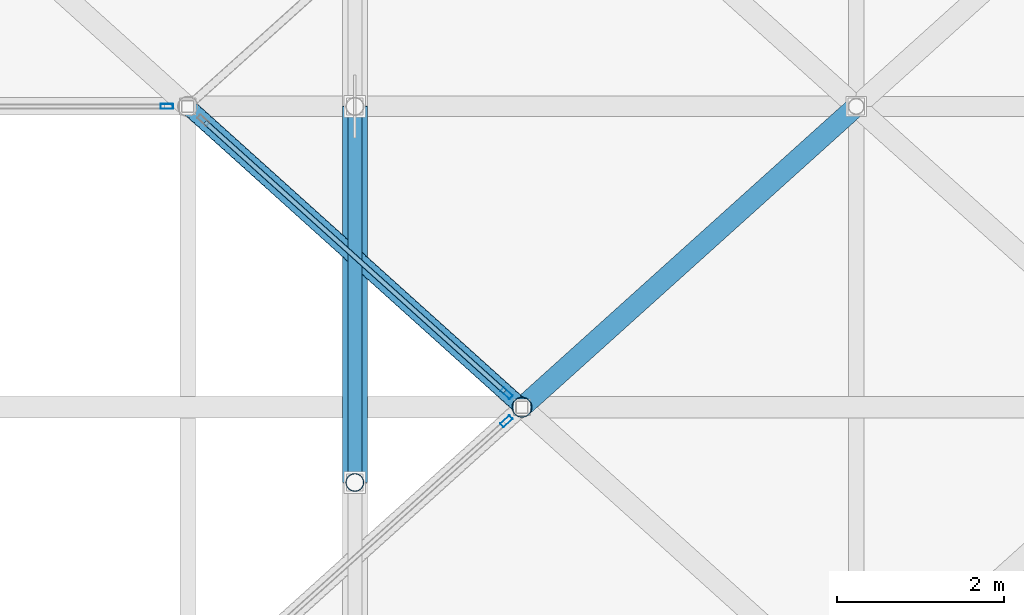
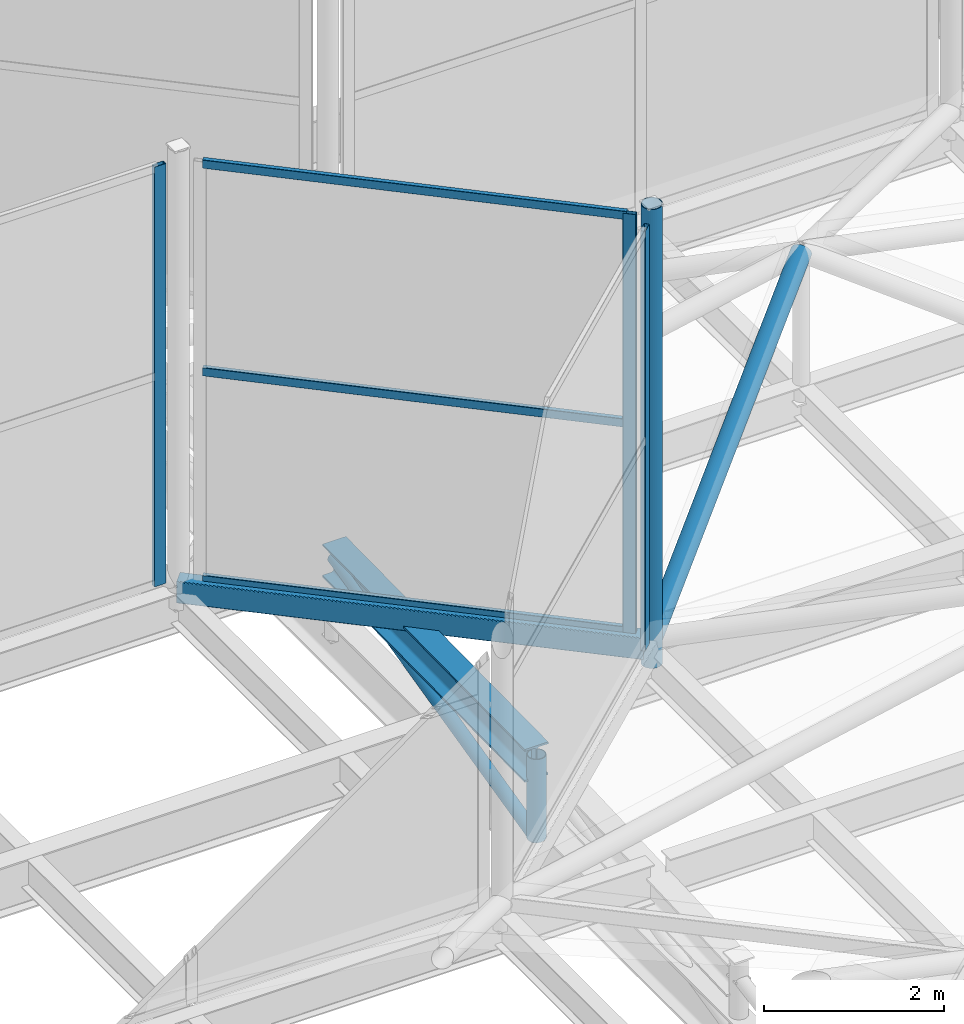
# One storey, part 97 of 239: 10 members, 2 beams, 3 elements without a shape of their own.
"""IFC4 building model written with IfcOpenShell, lengths in metres."""

from ifc_helpers import new_model, si_unit, direction, frame, origin, origin_2d, place, context, subcontext, project, spatial, hollow_rectangle, hollow_circle, i_section, extrude, material, layer, layer_set, material_profile, profile_set, type_object, element, aggregate, save


model = new_model("IFC4")

# Units and contexts
model_context = context("Model", 3, precision=1e-05, world=origin(), true_north=direction((0.0, 1.0)))
body_context = subcontext(model_context, "Body", "Model", "MODEL_VIEW")
ifc_project = project(units=[si_unit("LENGTHUNIT", "METRE"), si_unit("AREAUNIT", "SQUARE_METRE"), si_unit("VOLUMEUNIT", "CUBIC_METRE"), si_unit("PLANEANGLEUNIT", "RADIAN"), si_unit("MASSUNIT", "GRAM", prefix="KILO")], contexts=[model_context])

# Site, building, storey
site_placement = place(None, origin())
site = spatial("IfcSite", under=ifc_project, at=site_placement, CompositionType="ELEMENT")
building_placement = place(site_placement, origin())
building = spatial("IfcBuilding", under=site, at=building_placement, Name="Dunvalen Ferry Terminal", CompositionType="ELEMENT")
storey_placement = place(building_placement, frame((0.0, 0.0, 9.840087890625)))
storey = spatial("IfcBuildingStorey", under=building, at=storey_placement, Name="L02", CompositionType="ELEMENT", Elevation=9.840087890625)

# Curtain wall, member
ifc_material_1 = material(Name="Anodised marine aluminium and solar-control glazing", Category="aluminium")
ifc_layer_1 = layer(ifc_material_1, 0.179931640625, Name="Anodised marine aluminium and solar-control glazing")
ifc_layer_set_1 = layer_set([ifc_layer_1], Name="Anodised marine aluminium and solar-control glazing")
curtain_wall_type_1 = type_object("IfcCurtainWallType", Name="ENV-CW-SYS-05", PredefinedType="NOTDEFINED", material=ifc_layer_set_1)
curtain_wall_1_placement = place(storey_placement, origin())
curtain_wall_1 = element("IfcCurtainWall", 1, at=curtain_wall_1_placement, inside=storey, type_object=curtain_wall_type_1, Name="L02 Curtain Wall CW-HEX-25-SK-3", PredefinedType="NOTDEFINED")
ifc_material_2 = material(Name="Anodised marine aluminium EN AW-6063 T6", Category="aluminium")
ifc_material_profile_1 = material_profile(ifc_material_2, hollow_rectangle(XDim=0.06005859375, YDim=0.14990234375, WallThickness=0.00341796875, InnerFilletRadius=0.00341796875, OuterFilletRadius=0.007080078125, at=origin_2d()), Name="Anodised marine aluminium EN AW-6063 T6")
ifc_profile_set_1 = profile_set([ifc_material_profile_1], Name="Anodised marine aluminium EN AW-6063 T6")
member_type_1 = type_object("IfcMemberType", Name="ENV-CW-MUL-3", PredefinedType="MULLION", material=ifc_profile_set_1)
member_1_placement = place(storey_placement, frame((61.814208984375, 64.6328125, 1.139892578125), z_axis=(0.0, 0.0, 1.0), x_axis=(-0.668953550894, 0.74330420875, 0.0)))
member_1 = element("IfcMember", 2, at=member_1_placement, type_object=member_type_1, Name="CW-05 mullion 2", PredefinedType="MULLION", context=body_context, shape_type="SweptSolid", body=[
    extrude(hollow_rectangle(XDim=0.06005859375, YDim=0.14990234375, WallThickness=0.00341796875, InnerFilletRadius=0.00341796875, OuterFilletRadius=0.007080078125, at=origin_2d()), origin(), (0.0, 0.0, 1.0), 5.699951171875),
])
aggregate(curtain_wall_1, [member_1])

ifc_layer_2 = layer(ifc_material_1, 0.179931640625, Name="Anodised marine aluminium and solar-control glazing")
ifc_layer_set_2 = layer_set([ifc_layer_2], Name="Anodised marine aluminium and solar-control glazing")
curtain_wall_type_2 = type_object("IfcCurtainWallType", Name="ENV-CW-SYS-06", PredefinedType="NOTDEFINED", material=ifc_layer_set_2)
curtain_wall_2_placement = place(storey_placement, origin())
curtain_wall_2 = element("IfcCurtainWall", 3, at=curtain_wall_2_placement, inside=storey, type_object=curtain_wall_type_2, Name="L02 Curtain Wall CW-HEX-25-SK-4", PredefinedType="NOTDEFINED")
member_2_placement = place(storey_placement, frame((61.814208984375, 64.96728515625, 1.139892578125), z_axis=(0.0, 0.0, 1.0), x_axis=(-0.668953550894, -0.74330420875, 0.0)))
member_2 = element("IfcMember", 4, at=member_2_placement, type_object=member_type_1, Name="CW-06 mullion 1", PredefinedType="MULLION", context=body_context, shape_type="SweptSolid", body=[
    extrude(hollow_rectangle(XDim=0.06005859375, YDim=0.14990234375, WallThickness=0.00341796875, InnerFilletRadius=0.00341796875, OuterFilletRadius=0.007080078125, at=origin_2d()), origin(), (0.0, 0.0, 1.0), 5.699951171875),
])

curtain_wall_3_placement = place(storey_placement, origin())
curtain_wall_3 = element("IfcCurtainWall", 5, at=curtain_wall_3_placement, inside=storey, type_object=curtain_wall_type_1, Name="L02 Curtain Wall CW-HEX-25-SK-5", PredefinedType="NOTDEFINED")
member_3_placement = place(storey_placement, frame((57.75, 68.39990234375, 1.139892578125), z_axis=(0.0, 0.0, 1.0), x_axis=(0.0, -1.0, 0.0)))
member_3 = element("IfcMember", 6, at=member_3_placement, type_object=member_type_1, Name="CW-05 mullion 1", PredefinedType="MULLION", context=body_context, shape_type="SweptSolid", body=[
    extrude(hollow_rectangle(XDim=0.06005859375, YDim=0.14990234375, WallThickness=0.00341796875, InnerFilletRadius=0.00341796875, OuterFilletRadius=0.007080078125, at=origin_2d()), origin(), (0.0, 0.0, 1.0), 5.699951171875),
])
aggregate(curtain_wall_3, [member_3])

# Member
ifc_material_profile_2 = material_profile(ifc_material_2, hollow_rectangle(XDim=0.06005859375, YDim=0.114990234375, WallThickness=0.0029296875, InnerFilletRadius=0.0029296875, OuterFilletRadius=0.006103515625, at=origin_2d()), Name="Anodised marine aluminium EN AW-6063 T6")
ifc_profile_set_2 = profile_set([ifc_material_profile_2], Name="Anodised marine aluminium EN AW-6063 T6")
member_type_2 = type_object("IfcMemberType", Name="ENV-CW-TRN-3", PredefinedType="USERDEFINED", material=ifc_profile_set_2)
member_4_placement = place(storey_placement, frame((61.7919921875, 64.9873046875, 1.169921875), z_axis=(-0.743319323261, 0.668936756104, 0.0), x_axis=(-0.668936756104, -0.743319323261, 0.0)))
member_4 = element("IfcMember", 7, at=member_4_placement, type_object=member_type_2, Name="CW-06 transom 1.1", ObjectType="TRANSOM", PredefinedType="USERDEFINED", context=body_context, shape_type="SweptSolid", body=[
    extrude(hollow_rectangle(XDim=0.06005859375, YDim=0.114990234375, WallThickness=0.0029296875, InnerFilletRadius=0.0029296875, OuterFilletRadius=0.006103515625, at=origin_2d()), origin(), (0.0, 0.0, 1.0), 4.821533203125),
])

member_5_placement = place(storey_placement, frame((61.7919921875, 64.9873046875, 3.989990234375), z_axis=(-0.743319323261, 0.668936756104, 0.0), x_axis=(-0.668936756104, -0.743319323261, 0.0)))
member_5 = element("IfcMember", 8, at=member_5_placement, type_object=member_type_2, Name="CW-06 transom 1.2", ObjectType="TRANSOM", PredefinedType="USERDEFINED", context=body_context, shape_type="SweptSolid", body=[
    extrude(hollow_rectangle(XDim=0.06005859375, YDim=0.114990234375, WallThickness=0.0029296875, InnerFilletRadius=0.0029296875, OuterFilletRadius=0.006103515625, at=origin_2d()), origin(), (0.0, 0.0, 1.0), 4.821533203125),
])

member_6_placement = place(storey_placement, frame((61.7919921875, 64.9873046875, 6.809814453125), z_axis=(-0.743319323261, 0.668936756104, 0.0), x_axis=(-0.668936756104, -0.743319323261, 0.0)))
member_6 = element("IfcMember", 9, at=member_6_placement, type_object=member_type_2, Name="CW-06 transom 1.3", ObjectType="TRANSOM", PredefinedType="USERDEFINED", context=body_context, shape_type="SweptSolid", body=[
    extrude(hollow_rectangle(XDim=0.06005859375, YDim=0.114990234375, WallThickness=0.0029296875, InnerFilletRadius=0.0029296875, OuterFilletRadius=0.006103515625, at=origin_2d()), origin(), (0.0, 0.0, 1.0), 4.821533203125),
])

aggregate(curtain_wall_2, [member_2, member_4, member_5, member_6])

# Beams
ifc_material_3 = material(Name="Steel S355", Category="steel")
ifc_material_profile_3 = material_profile(ifc_material_3, i_section(OverallWidth=0.300048828125, OverallDepth=0.449951171875, WebThickness=0.013916015625, FlangeThickness=0.02587890625, FilletRadius=0.027099609375, at=origin_2d()), Name="Steel S355")
ifc_profile_set_3 = profile_set([ifc_material_profile_3], Name="Steel S355")
beam_type_1 = type_object("IfcBeamType", Name="STR-BM-HEB450", PredefinedType="BEAM", material=ifc_profile_set_3)
beam_1_placement = place(storey_placement, frame((60.0, 63.89990234375, 0.65869140625), z_axis=(0.0, 0.999907293085, 0.01361635908), x_axis=(-1.0, 0.0, 0.0)))
element("IfcBeam", 10, at=beam_1_placement, inside=storey, type_object=beam_type_1, Name="Departure Hall Tied-Arch Rib 05.4", PredefinedType="BEAM", context=body_context, shape_type="SweptSolid", body=[
    extrude(i_section(OverallWidth=0.300048828125, OverallDepth=0.449951171875, WebThickness=0.013916015625, FlangeThickness=0.02587890625, FilletRadius=0.027099609375, at=origin_2d()), origin(), (0.0, 0.0, 1.0), 4.50048828125),
])
ifc_material_profile_4 = material_profile(ifc_material_3, hollow_rectangle(XDim=0.199951171875, YDim=0.300048828125, WallThickness=0.010009765625, InnerFilletRadius=0.010009765625, OuterFilletRadius=0.02001953125, at=origin_2d()), Name="Steel S355")
ifc_profile_set_4 = profile_set([ifc_material_profile_4], Name="Steel S355")
beam_type_2 = type_object("IfcBeamType", Name="STR-BM-RHS300", PredefinedType="BEAM", material=ifc_profile_set_4)
beam_2_placement = place(storey_placement, frame((62.0, 64.800048828125, 1.0), z_axis=(-0.74330768127, 0.668949692402, 0.0), x_axis=(-0.668949692402, -0.74330768127, 0.0)))
element("IfcBeam", 11, at=beam_2_placement, inside=storey, type_object=beam_type_2, Name="HEX-25 Lantern Curb Ring Beam 4", PredefinedType="BEAM", context=body_context, shape_type="SweptSolid", body=[
    extrude(hollow_rectangle(XDim=0.199951171875, YDim=0.300048828125, WallThickness=0.010009765625, InnerFilletRadius=0.010009765625, OuterFilletRadius=0.02001953125, at=origin_2d()), origin(), (0.0, 0.0, 1.0), 5.38134765625),
])

# Members
ifc_material_profile_5 = material_profile(ifc_material_3, hollow_circle(Radius=0.084228515625, WallThickness=0.008056640625, at=origin_2d()), Name="Steel S355")
ifc_profile_set_5 = profile_set([ifc_material_profile_5], Name="Steel S355")
member_type_3 = type_object("IfcMemberType", Name="STR-MB-CHS168", PredefinedType="BRACE", material=ifc_profile_set_5)
member_7_placement = place(storey_placement, frame((60.0, 63.89990234375, -0.360107421875), z_axis=(0.0, 0.972383470914, 0.233388914677), x_axis=(-1.0, 0.0, 0.0)))
element("IfcMember", 12, at=member_7_placement, inside=storey, type_object=member_type_3, Name="Departure Hall Arch Web Diagonal 05.4", PredefinedType="BRACE", context=body_context, shape_type="SweptSolid", body=[
    extrude(hollow_circle(Radius=0.084228515625, WallThickness=0.008056640625, at=origin_2d()), origin(), (0.0, 0.0, 1.0), 4.627685546875),
])
ifc_material_profile_6 = material_profile(ifc_material_3, hollow_circle(Radius=0.109619140625, WallThickness=0.010009765625, at=origin_2d()), Name="Steel S355")
ifc_profile_set_6 = profile_set([ifc_material_profile_6], Name="Steel S355")
member_type_4 = type_object("IfcMemberType", Name="STR-MB-CHS219", PredefinedType="STRUT", material=ifc_profile_set_6)
member_8_placement = place(storey_placement, frame((60.0, 63.89990234375, -0.360107421875), z_axis=(0.0, 0.0, 1.0), x_axis=(1.0, 0.0, 0.0)))
element("IfcMember", 13, at=member_8_placement, inside=storey, type_object=member_type_4, Name="Departure Hall Arch Spandrel Strut 05.3", PredefinedType="STRUT", context=body_context, shape_type="SweptSolid", body=[
    extrude(hollow_circle(Radius=0.109619140625, WallThickness=0.010009765625, at=origin_2d()), origin(), (0.0, 0.0, 1.0), 1.130126953125),
])
ifc_material_profile_7 = material_profile(ifc_material_3, hollow_circle(Radius=0.122314453125, WallThickness=0.010009765625, at=origin_2d()), Name="Steel S355")
ifc_profile_set_7 = profile_set([ifc_material_profile_7], Name="Steel S355")
member_type_5 = type_object("IfcMemberType", Name="STR-MB-CHS244", PredefinedType="STRUT", material=ifc_profile_set_7)
member_9_placement = place(storey_placement, frame((62.0, 64.800048828125, 0.77001953125), z_axis=(0.0, 0.0, 1.0), x_axis=(1.0, 0.0, 0.0)))
element("IfcMember", 14, at=member_9_placement, inside=storey, type_object=member_type_5, Name="HEX-25 Skylight Lantern Corner Strut 4", PredefinedType="STRUT", context=body_context, shape_type="SweptSolid", body=[
    extrude(hollow_circle(Radius=0.122314453125, WallThickness=0.010009765625, at=origin_2d()), origin(), (0.0, 0.0, 1.0), 6.22998046875),
])
member_10_placement = place(storey_placement, frame((62.0, 64.800048828125, 1.099853515625), z_axis=(0.710094348105, 0.639058908863, 0.295583706914), x_axis=(-0.668949692402, 0.74330768127, 0.0)))
element("IfcMember", 15, at=member_10_placement, inside=storey, type_object=member_type_5, Name="HEX-31 Pyramid Hip Rafter 2", PredefinedType="STRUT", context=body_context, shape_type="SweptSolid", body=[
    extrude(hollow_circle(Radius=0.122314453125, WallThickness=0.010009765625, at=origin_2d()), origin(), (0.0, 0.0, 1.0), 5.633056640625),
])

save(model, "model.ifc")
